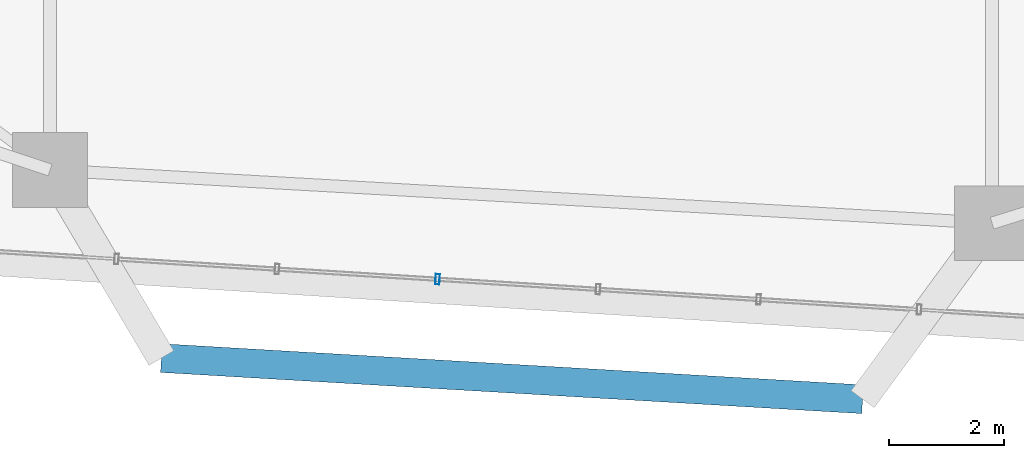
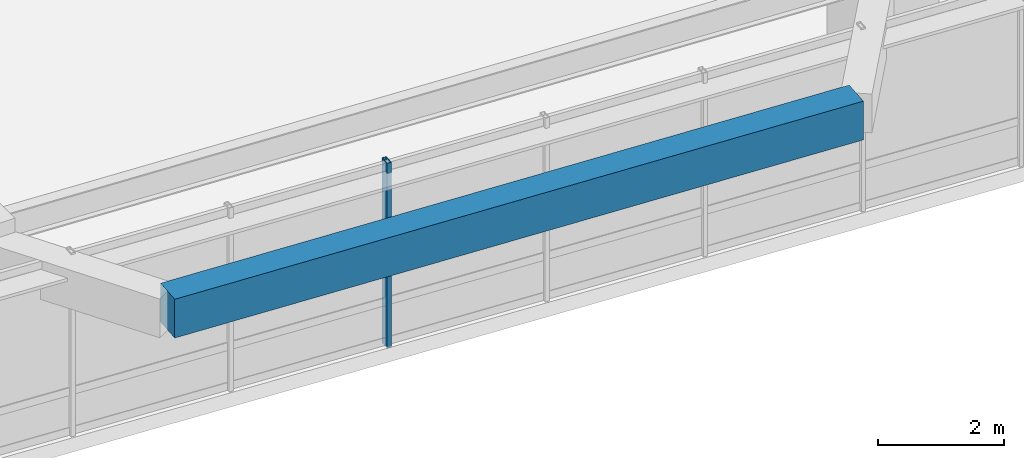
# One storey, part 3 of 13: 1 beam, 1 member, 1 element without a shape of its own.
"""IFC4 building model written with IfcOpenShell, lengths in metres."""

import ifcopenshell
import ifcopenshell.guid

model = None  # the IFC model being written
_history = None  # IfcOwnerHistory: only IFC2X3 demands one
_inside = {}  # id of a spatial element -> (the spatial element, [elements in it])
_under = {}  # id of a project, library or spatial element -> (it, [spatial elements below it])
_declared = {}  # id of a project -> (the project, [libraries it declares])
_typed = {}  # id of a type object -> (the type object, [elements of that type])
_made_of = {}  # id of a material, layer set ... -> (it, [elements and type objects made of it])


def new_model(schema):
    """Start an empty IFC model of exactly this schema.

    Asked for "IFC4X3", IfcOpenShell would pick the latest addendum, in which some entities
    have other attributes; the version numbers below select the first issue.
    IFC2X3 requires an IfcOwnerHistory on every rooted entity: one is made here for all.
    """
    global model, _history
    if schema == "IFC4X3":
        model = ifcopenshell.file(schema_version=(4, 3, 0, 0))
    else:
        model = ifcopenshell.file(schema=schema)
    _inside.clear()
    _under.clear()
    _declared.clear()
    _typed.clear()
    _made_of.clear()
    _history = None
    if model.schema == "IFC2X3":
        org = make("IfcOrganization", Name="unknown")
        user = make(
            "IfcPersonAndOrganization",
            ThePerson=make("IfcPerson", FamilyName="unknown"),
            TheOrganization=org,
        )
        app = make(
            "IfcApplication",
            ApplicationDeveloper=org,
            Version="unknown",
            ApplicationFullName="unknown",
            ApplicationIdentifier="unknown",
        )
        _history = make(
            "IfcOwnerHistory",
            OwningUser=user,
            OwningApplication=app,
            ChangeAction="ADDED",
            CreationDate=0,
        )
    return model


def make(cls, **values):
    """One entity of the class cls with the attributes given. An attribute that is None is left unset."""
    return model.create_entity(
        cls, **{name: value for name, value in values.items() if value is not None}
    )


def rooted(cls, **values):
    """An entity with a GlobalId (a new one), such as an element, a storey or a relation."""
    return make(cls, GlobalId=ifcopenshell.guid.new(), OwnerHistory=_history, **values)


def si_unit(unit_type, name, prefix=None):
    """IfcSIUnit, for example si_unit("LENGTHUNIT", "METRE", prefix="MILLI")."""
    return make("IfcSIUnit", UnitType=unit_type, Prefix=prefix, Name=name)


def assignment(units):
    """IfcUnitAssignment: the units of a project."""
    return None if units is None else make("IfcUnitAssignment", Units=units)


def point(xyz):
    """IfcCartesianPoint."""
    return None if xyz is None else make("IfcCartesianPoint", Coordinates=xyz)


def direction(xyz):
    """IfcDirection."""
    return None if xyz is None else make("IfcDirection", DirectionRatios=xyz)


def frame(location, z_axis=None, x_axis=None):
    """IfcAxis2Placement3D, a coordinate frame: its origin and axes. An axis left out is left unset."""
    return make(
        "IfcAxis2Placement3D",
        Location=point(location),
        Axis=direction(z_axis),
        RefDirection=direction(x_axis),
    )


def frame_2d(location, x_axis=None):
    """IfcAxis2Placement2D, a coordinate frame in the plane: its origin and x axis."""
    return make(
        "IfcAxis2Placement2D", Location=point(location), RefDirection=direction(x_axis)
    )


def origin():
    """The frame at (0, 0, 0) with its axes left unset."""
    return frame((0.0, 0.0, 0.0))


def origin_2d():
    """The frame at (0, 0) in the plane with its x axis left unset."""
    return frame_2d((0.0, 0.0))


def place(relative_to, where):
    """IfcLocalPlacement: puts the frame where relative to a parent placement (None: the world)."""
    return make(
        "IfcLocalPlacement", PlacementRelTo=relative_to, RelativePlacement=where
    )


def context(
    kind, dimensions, precision=None, world=None, true_north=None, identifier=None
):
    """IfcGeometricRepresentationContext, for example the 3D "Model" context."""
    return make(
        "IfcGeometricRepresentationContext",
        ContextIdentifier=identifier,
        ContextType=kind,
        CoordinateSpaceDimension=dimensions,
        Precision=precision,
        WorldCoordinateSystem=world,
        TrueNorth=true_north,
    )


def subcontext(parent, identifier, kind, view, scale=None):
    """IfcGeometricRepresentationSubContext, for example "Body" below "Model"."""
    return make(
        "IfcGeometricRepresentationSubContext",
        ContextIdentifier=identifier,
        ContextType=kind,
        ParentContext=parent,
        TargetScale=scale,
        TargetView=view,
    )


def project(units=None, contexts=None):
    """IfcProject with its units and contexts."""
    return rooted(
        "IfcProject",
        Name="project",
        RepresentationContexts=contexts,
        UnitsInContext=assignment(units),
    )


def spatial(cls, under=None, at=None, **own):
    """A site, building, storey or space (cls), placed at a placement, below another one or the project."""
    s = rooted(cls, ObjectPlacement=at, **own)
    if under is not None:
        _under.setdefault(under.id(), (under, []))[1].append(s)
    return s


def profile(cls, at=None, kind="AREA", **sizes):
    """A parametric profile (cls). Its sizes go by their IFC names, for example OverallWidth=200.0."""
    return make(cls, ProfileType=kind, Position=at, **sizes)


def rectangle(**sizes):
    """IfcRectangleProfileDef."""
    return profile("IfcRectangleProfileDef", **sizes)


def hollow_rectangle(**sizes):
    """IfcRectangleHollowProfileDef."""
    return profile("IfcRectangleHollowProfileDef", **sizes)


def extrude(swept, where, along, depth):
    """IfcExtrudedAreaSolid: the profile swept, set in the frame where, extruded along a direction by depth."""
    return make(
        "IfcExtrudedAreaSolid",
        SweptArea=swept,
        Position=where,
        ExtrudedDirection=direction(along),
        Depth=depth,
    )


def shape(context_of_items, identifier, shape_type, items):
    """IfcShapeRepresentation: the items that make up one representation, for example the "Body"."""
    return make(
        "IfcShapeRepresentation",
        ContextOfItems=context_of_items,
        RepresentationIdentifier=identifier,
        RepresentationType=shape_type,
        Items=items,
    )


def material(Name=None, Category=None):
    """IfcMaterial."""
    return make("IfcMaterial", Name=Name, Category=Category)


def material_profile(
    of_material, cross_section, Name=None, Category=None, Priority=None
):
    """IfcMaterialProfile: a cross section and its material."""
    return make(
        "IfcMaterialProfile",
        Name=Name,
        Material=of_material,
        Profile=cross_section,
        Priority=Priority,
        Category=Category,
    )


def profile_set(profiles, Name=None, composite=None):
    """IfcMaterialProfileSet."""
    return make(
        "IfcMaterialProfileSet",
        Name=Name,
        MaterialProfiles=profiles,
        CompositeProfile=composite,
    )


def made_of(thing, what):
    """Note that an element or type object is made of a material, layer set ...; save() writes the relation."""
    if what is not None:
        _made_of.setdefault(what.id(), (what, []))[1].append(thing)
    return thing


def type_object(cls, material=None, **own):
    """A type object (cls), such as IfcWallType, which elements share."""
    return made_of(rooted(cls, **own), material)


def element(
    cls,
    number,
    at=None,
    inside=None,
    cuts=None,
    type_object=None,
    material=None,
    context=None,
    identifier="Body",
    shape_type=None,
    held_by="IfcProductDefinitionShape",
    body=None,
    shapes=None,
    **own,
):
    """One element of the class cls, such as IfcWall. Its Tag is "e" and its number.

    at: its placement. inside: the storey or other place that contains it. cuts: it is an
    opening in that element (IfcRelVoidsElement). A single representation is given by context,
    identifier, shape_type and body (its items); several are given by shapes. held_by: the class
    of the entity that holds the representations. save() writes the other relations.
    """
    e = rooted(cls, Tag="e%d" % number, ObjectPlacement=at, **own)
    if body is not None:
        shapes = [shape(context, identifier, shape_type, body)]
    if shapes is not None:
        e.Representation = make(held_by, Representations=shapes)
    if inside is not None:
        _inside.setdefault(inside.id(), (inside, []))[1].append(e)
    if cuts is not None:
        rooted(
            "IfcRelVoidsElement", RelatingBuildingElement=cuts, RelatedOpeningElement=e
        )
    if type_object is not None:
        _typed.setdefault(type_object.id(), (type_object, []))[1].append(e)
    return made_of(e, material)


def aggregate(whole, parts):
    """IfcRelAggregates: a whole, such as a stair, and the parts it consists of."""
    return rooted("IfcRelAggregates", RelatingObject=whole, RelatedObjects=parts)


def save(model, path):
    """Write the relations noted so far, then the file.

    IfcRelAggregates (storeys below a building ...), IfcRelContainedInSpatialStructure (elements
    in a storey), IfcRelDefinesByType, IfcRelAssociatesMaterial and IfcRelDeclares: one each for
    every whole, place, type object, material and project.
    """
    for whole, parts in _under.values():
        aggregate(whole, parts)
    for where, things in _inside.values():
        rooted(
            "IfcRelContainedInSpatialStructure",
            RelatedElements=things,
            RelatingStructure=where,
        )
    for kind, things in _typed.values():
        rooted("IfcRelDefinesByType", RelatedObjects=things, RelatingType=kind)
    for what, things in _made_of.values():
        rooted("IfcRelAssociatesMaterial", RelatedObjects=things, RelatingMaterial=what)
    for by, libraries in _declared.values():
        rooted("IfcRelDeclares", RelatingContext=by, RelatedDefinitions=libraries)
    model.write(path)


model = new_model("IFC4")

# Units and contexts
model_context = context("Model", 3, precision=1e-05, world=origin(), true_north=direction((0.0, 1.0)))
body_context = subcontext(model_context, "Body", "Model", "MODEL_VIEW")
ifc_project = project(units=[si_unit("LENGTHUNIT", "METRE"), si_unit("AREAUNIT", "SQUARE_METRE"), si_unit("VOLUMEUNIT", "CUBIC_METRE"), si_unit("PLANEANGLEUNIT", "RADIAN"), si_unit("MASSUNIT", "GRAM", prefix="KILO")], contexts=[model_context])

# Site, building, storey
site_placement = place(None, origin())
site = spatial("IfcSite", under=ifc_project, at=site_placement, CompositionType="ELEMENT")
building_placement = place(site_placement, origin())
building = spatial("IfcBuilding", under=site, at=building_placement, Name="Zulverin Broadcast Headquarters", CompositionType="ELEMENT")
storey_placement = place(building_placement, frame((0.0, 0.0, 47.800048828125)))
storey = spatial("IfcBuildingStorey", under=building, at=storey_placement, Name="L11", CompositionType="ELEMENT", Elevation=47.800048828125)

# Beam
ifc_material_1 = material(Name="Concrete C40/50", Category="concrete")
ifc_material_profile_1 = material_profile(ifc_material_1, rectangle(XDim=0.5, YDim=0.75, at=origin_2d()), Name="Concrete C40/50", Category="concrete")
ifc_profile_set_1 = profile_set([ifc_material_profile_1], Name="Concrete C40/50")
beam_type = type_object("IfcBeamType", Name="BM-RC-500x750", PredefinedType="BEAM", material=ifc_profile_set_1)
beam_placement = place(storey_placement, frame((31.731689453125, 0.652099609375, 3.14990234375), z_axis=(0.998282016209, -0.058591945803, 0.0), x_axis=(0.058591945803, 0.998282016209, 0.0)))
element("IfcBeam", 1, at=beam_placement, inside=storey, type_object=beam_type, Name="L12 Balcony Outer Edge Trimmer Beam BAL_S", PredefinedType="BEAM", context=body_context, shape_type="SweptSolid", body=[
    extrude(rectangle(XDim=0.5, YDim=0.75, at=origin_2d()), origin(), (0.0, 0.0, 1.0), 12.212890625),
])

# Curtain wall, member
ifc_material_2 = material(Name="Low-zone ribbon unitised curtain wall", Category="aluminium")
curtain_wall_type = type_object("IfcCurtainWallType", Name="CW-TWR-LOW", PredefinedType="USERDEFINED", material=ifc_material_2)
curtain_wall_placement = place(storey_placement, origin())
curtain_wall = element("IfcCurtainWall", 2, at=curtain_wall_placement, inside=storey, type_object=curtain_wall_type, Name="L11 Unitised Curtain Wall CW-L11-E1", ObjectType="UNITISED CURTAIN WALL", PredefinedType="USERDEFINED")
ifc_material_3 = material(Name="Anodized pale-metal aluminium alloy 6063-T6", Category="aluminium")
ifc_material_profile_2 = material_profile(ifc_material_3, hollow_rectangle(XDim=0.074951171875, YDim=0.179931640625, WallThickness=0.0048828125, at=origin_2d()), Name="Anodized pale-metal aluminium alloy 6063-T6", Category="aluminium")
ifc_profile_set_2 = profile_set([ifc_material_profile_2], Name="Anodized pale-metal aluminium alloy 6063-T6")
member_type = type_object("IfcMemberType", Name="CW-MUL-180", PredefinedType="MULLION", material=ifc_profile_set_2)
member_placement = place(storey_placement, frame((36.533447265625, 2.023193359375, -0.030029296875), z_axis=(0.0, 0.0, 1.0), x_axis=(0.998017182581, -0.062942062821, 0.0)))
member = element("IfcMember", 3, at=member_placement, type_object=member_type, Name="CW-L11-E1 Mullion 03", PredefinedType="MULLION", context=body_context, shape_type="SweptSolid", body=[
    extrude(hollow_rectangle(XDim=0.074951171875, YDim=0.179931640625, WallThickness=0.0048828125, at=origin_2d()), origin(), (0.0, 0.0, 1.0), 3.5849609375),
])
aggregate(curtain_wall, [member])

save(model, "model.ifc")
